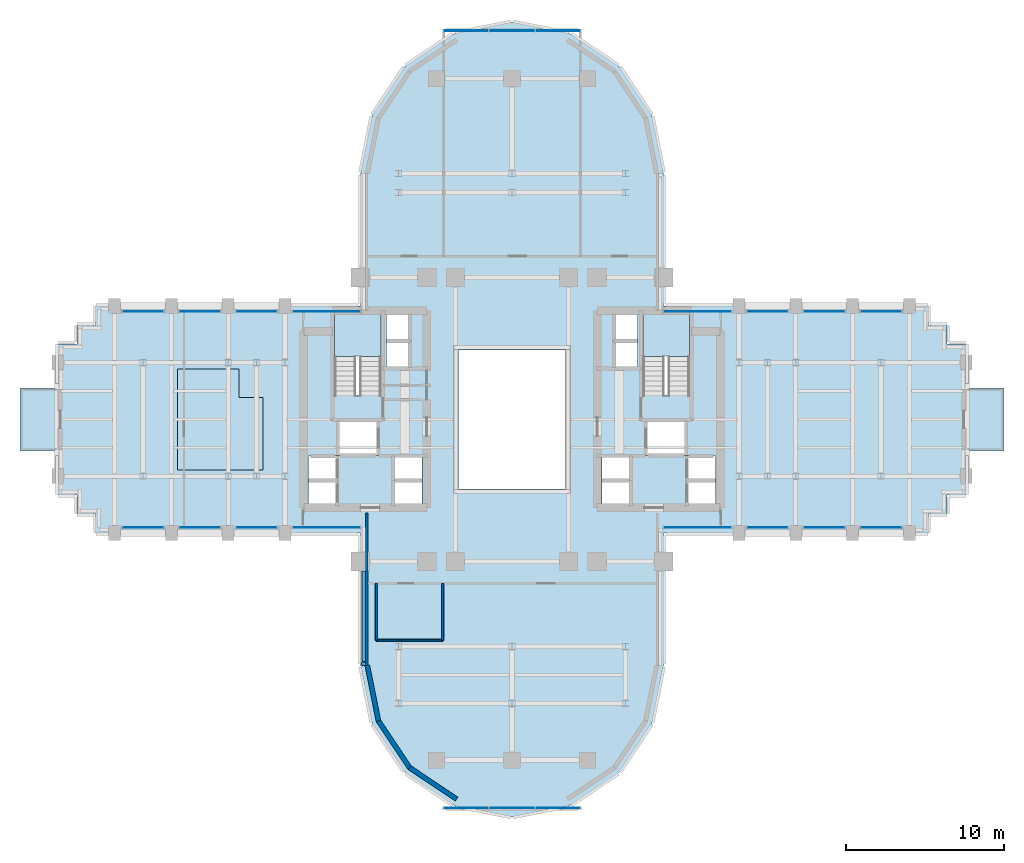
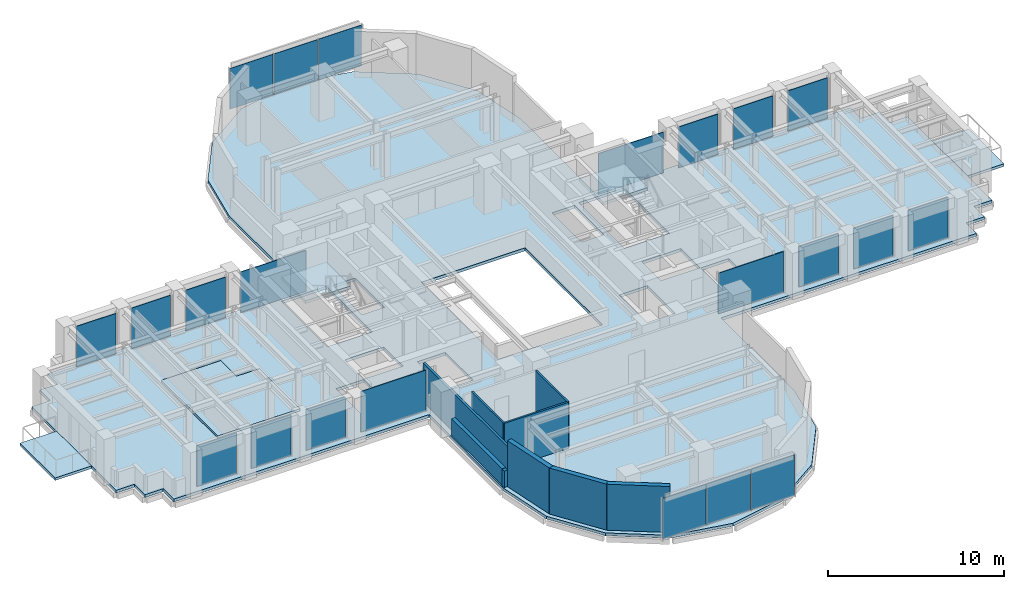
# One storey, part 9 of 15: 22 plates, 9 walls, 6 slabs, 20 elements without a shape of their own.
"""IFC4 building model written with IfcOpenShell, lengths in metres."""

import ifcopenshell
import ifcopenshell.guid

model = None  # the IFC model being written
_history = None  # IfcOwnerHistory: only IFC2X3 demands one
_inside = {}  # id of a spatial element -> (the spatial element, [elements in it])
_under = {}  # id of a project, library or spatial element -> (it, [spatial elements below it])
_declared = {}  # id of a project -> (the project, [libraries it declares])
_typed = {}  # id of a type object -> (the type object, [elements of that type])
_made_of = {}  # id of a material, layer set ... -> (it, [elements and type objects made of it])


def new_model(schema):
    """Start an empty IFC model of exactly this schema.

    Asked for "IFC4X3", IfcOpenShell would pick the latest addendum, in which some entities
    have other attributes; the version numbers below select the first issue.
    IFC2X3 requires an IfcOwnerHistory on every rooted entity: one is made here for all.
    """
    global model, _history
    if schema == "IFC4X3":
        model = ifcopenshell.file(schema_version=(4, 3, 0, 0))
    else:
        model = ifcopenshell.file(schema=schema)
    _inside.clear()
    _under.clear()
    _declared.clear()
    _typed.clear()
    _made_of.clear()
    _history = None
    if model.schema == "IFC2X3":
        org = make("IfcOrganization", Name="unknown")
        user = make(
            "IfcPersonAndOrganization",
            ThePerson=make("IfcPerson", FamilyName="unknown"),
            TheOrganization=org,
        )
        app = make(
            "IfcApplication",
            ApplicationDeveloper=org,
            Version="unknown",
            ApplicationFullName="unknown",
            ApplicationIdentifier="unknown",
        )
        _history = make(
            "IfcOwnerHistory",
            OwningUser=user,
            OwningApplication=app,
            ChangeAction="ADDED",
            CreationDate=0,
        )
    return model


def make(cls, **values):
    """One entity of the class cls with the attributes given. An attribute that is None is left unset."""
    return model.create_entity(
        cls, **{name: value for name, value in values.items() if value is not None}
    )


def rooted(cls, **values):
    """An entity with a GlobalId (a new one), such as an element, a storey or a relation."""
    return make(cls, GlobalId=ifcopenshell.guid.new(), OwnerHistory=_history, **values)


def si_unit(unit_type, name, prefix=None):
    """IfcSIUnit, for example si_unit("LENGTHUNIT", "METRE", prefix="MILLI")."""
    return make("IfcSIUnit", UnitType=unit_type, Prefix=prefix, Name=name)


def assignment(units):
    """IfcUnitAssignment: the units of a project."""
    return None if units is None else make("IfcUnitAssignment", Units=units)


def point(xyz):
    """IfcCartesianPoint."""
    return None if xyz is None else make("IfcCartesianPoint", Coordinates=xyz)


def direction(xyz):
    """IfcDirection."""
    return None if xyz is None else make("IfcDirection", DirectionRatios=xyz)


def frame(location, z_axis=None, x_axis=None):
    """IfcAxis2Placement3D, a coordinate frame: its origin and axes. An axis left out is left unset."""
    return make(
        "IfcAxis2Placement3D",
        Location=point(location),
        Axis=direction(z_axis),
        RefDirection=direction(x_axis),
    )


def frame_2d(location, x_axis=None):
    """IfcAxis2Placement2D, a coordinate frame in the plane: its origin and x axis."""
    return make(
        "IfcAxis2Placement2D", Location=point(location), RefDirection=direction(x_axis)
    )


def origin():
    """The frame at (0, 0, 0) with its axes left unset."""
    return frame((0.0, 0.0, 0.0))


def origin_2d():
    """The frame at (0, 0) in the plane with its x axis left unset."""
    return frame_2d((0.0, 0.0))


def place(relative_to, where):
    """IfcLocalPlacement: puts the frame where relative to a parent placement (None: the world)."""
    return make(
        "IfcLocalPlacement", PlacementRelTo=relative_to, RelativePlacement=where
    )


def context(
    kind, dimensions, precision=None, world=None, true_north=None, identifier=None
):
    """IfcGeometricRepresentationContext, for example the 3D "Model" context."""
    return make(
        "IfcGeometricRepresentationContext",
        ContextIdentifier=identifier,
        ContextType=kind,
        CoordinateSpaceDimension=dimensions,
        Precision=precision,
        WorldCoordinateSystem=world,
        TrueNorth=true_north,
    )


def subcontext(parent, identifier, kind, view, scale=None):
    """IfcGeometricRepresentationSubContext, for example "Body" below "Model"."""
    return make(
        "IfcGeometricRepresentationSubContext",
        ContextIdentifier=identifier,
        ContextType=kind,
        ParentContext=parent,
        TargetScale=scale,
        TargetView=view,
    )


def project(units=None, contexts=None):
    """IfcProject with its units and contexts."""
    return rooted(
        "IfcProject",
        Name="project",
        RepresentationContexts=contexts,
        UnitsInContext=assignment(units),
    )


def spatial(cls, under=None, at=None, **own):
    """A site, building, storey or space (cls), placed at a placement, below another one or the project."""
    s = rooted(cls, ObjectPlacement=at, **own)
    if under is not None:
        _under.setdefault(under.id(), (under, []))[1].append(s)
    return s


def polyline(points):
    """IfcPolyline through the points."""
    return make("IfcPolyline", Points=[point(p) for p in points])


def profile(cls, at=None, kind="AREA", **sizes):
    """A parametric profile (cls). Its sizes go by their IFC names, for example OverallWidth=200.0."""
    return make(cls, ProfileType=kind, Position=at, **sizes)


def rectangle(**sizes):
    """IfcRectangleProfileDef."""
    return profile("IfcRectangleProfileDef", **sizes)


def outline(outer, holes=None, kind="AREA"):
    """IfcArbitraryClosedProfileDef: a profile drawn as a closed curve; with holes, ...WithVoids."""
    if holes is None:
        return make("IfcArbitraryClosedProfileDef", ProfileType=kind, OuterCurve=outer)
    return make(
        "IfcArbitraryProfileDefWithVoids",
        ProfileType=kind,
        OuterCurve=outer,
        InnerCurves=holes,
    )


def extrude(swept, where, along, depth):
    """IfcExtrudedAreaSolid: the profile swept, set in the frame where, extruded along a direction by depth."""
    return make(
        "IfcExtrudedAreaSolid",
        SweptArea=swept,
        Position=where,
        ExtrudedDirection=direction(along),
        Depth=depth,
    )


def shape(context_of_items, identifier, shape_type, items):
    """IfcShapeRepresentation: the items that make up one representation, for example the "Body"."""
    return make(
        "IfcShapeRepresentation",
        ContextOfItems=context_of_items,
        RepresentationIdentifier=identifier,
        RepresentationType=shape_type,
        Items=items,
    )


def source(mapping_origin, context_of_items, identifier, shape_type, items):
    """IfcRepresentationMap: a shape defined once, which mapped items show again and again."""
    return make(
        "IfcRepresentationMap",
        MappingOrigin=mapping_origin,
        MappedRepresentation=shape(context_of_items, identifier, shape_type, items),
    )


def transform(
    local_origin,
    x_axis=None,
    y_axis=None,
    z_axis=None,
    scale=None,
    scale2=None,
    scale3=None,
    uniform=True,
):
    """IfcCartesianTransformationOperator3D, or its non-uniform kind. x_axis, y_axis, z_axis: its Axis1, 2, 3."""
    if uniform:
        return make(
            "IfcCartesianTransformationOperator3D",
            Axis1=direction(x_axis),
            Axis2=direction(y_axis),
            LocalOrigin=point(local_origin),
            Scale=scale,
            Axis3=direction(z_axis),
        )
    return make(
        "IfcCartesianTransformationOperator3DnonUniform",
        Axis1=direction(x_axis),
        Axis2=direction(y_axis),
        LocalOrigin=point(local_origin),
        Scale=scale,
        Axis3=direction(z_axis),
        Scale2=scale2,
        Scale3=scale3,
    )


def mapped(mapping_source, mapping_target):
    """IfcMappedItem: shows the shape of a source again, moved by a transform."""
    return make(
        "IfcMappedItem", MappingSource=mapping_source, MappingTarget=mapping_target
    )


def material(Name=None, Category=None):
    """IfcMaterial."""
    return make("IfcMaterial", Name=Name, Category=Category)


def layer(
    of_material, thickness, ventilated=None, Name=None, Category=None, Priority=None
):
    """IfcMaterialLayer: one layer of a wall or slab, of a material (None: an air gap)."""
    return make(
        "IfcMaterialLayer",
        Material=of_material,
        LayerThickness=thickness,
        IsVentilated=ventilated,
        Name=Name,
        Category=Category,
        Priority=Priority,
    )


def layer_set(layers, Name=None):
    """IfcMaterialLayerSet."""
    return make("IfcMaterialLayerSet", MaterialLayers=layers, LayerSetName=Name)


def made_of(thing, what):
    """Note that an element or type object is made of a material, layer set ...; save() writes the relation."""
    if what is not None:
        _made_of.setdefault(what.id(), (what, []))[1].append(thing)
    return thing


def type_object(cls, material=None, **own):
    """A type object (cls), such as IfcWallType, which elements share."""
    return made_of(rooted(cls, **own), material)


def element(
    cls,
    number,
    at=None,
    inside=None,
    cuts=None,
    type_object=None,
    material=None,
    context=None,
    identifier="Body",
    shape_type=None,
    held_by="IfcProductDefinitionShape",
    body=None,
    shapes=None,
    **own,
):
    """One element of the class cls, such as IfcWall. Its Tag is "e" and its number.

    at: its placement. inside: the storey or other place that contains it. cuts: it is an
    opening in that element (IfcRelVoidsElement). A single representation is given by context,
    identifier, shape_type and body (its items); several are given by shapes. held_by: the class
    of the entity that holds the representations. save() writes the other relations.
    """
    e = rooted(cls, Tag="e%d" % number, ObjectPlacement=at, **own)
    if body is not None:
        shapes = [shape(context, identifier, shape_type, body)]
    if shapes is not None:
        e.Representation = make(held_by, Representations=shapes)
    if inside is not None:
        _inside.setdefault(inside.id(), (inside, []))[1].append(e)
    if cuts is not None:
        rooted(
            "IfcRelVoidsElement", RelatingBuildingElement=cuts, RelatedOpeningElement=e
        )
    if type_object is not None:
        _typed.setdefault(type_object.id(), (type_object, []))[1].append(e)
    return made_of(e, material)


def aggregate(whole, parts):
    """IfcRelAggregates: a whole, such as a stair, and the parts it consists of."""
    return rooted("IfcRelAggregates", RelatingObject=whole, RelatedObjects=parts)


def save(model, path):
    """Write the relations noted so far, then the file.

    IfcRelAggregates (storeys below a building ...), IfcRelContainedInSpatialStructure (elements
    in a storey), IfcRelDefinesByType, IfcRelAssociatesMaterial and IfcRelDeclares: one each for
    every whole, place, type object, material and project.
    """
    for whole, parts in _under.values():
        aggregate(whole, parts)
    for where, things in _inside.values():
        rooted(
            "IfcRelContainedInSpatialStructure",
            RelatedElements=things,
            RelatingStructure=where,
        )
    for kind, things in _typed.values():
        rooted("IfcRelDefinesByType", RelatedObjects=things, RelatingType=kind)
    for what, things in _made_of.values():
        rooted("IfcRelAssociatesMaterial", RelatedObjects=things, RelatingMaterial=what)
    for by, libraries in _declared.values():
        rooted("IfcRelDeclares", RelatingContext=by, RelatedDefinitions=libraries)
    model.write(path)


model = new_model("IFC4")

# Units and contexts
model_context = context("Model", 3, precision=1e-05, world=origin(), true_north=direction((0.0, 1.0)))
body_context = subcontext(model_context, "Body", "Model", "MODEL_VIEW")
ifc_project = project(units=[si_unit("LENGTHUNIT", "METRE"), si_unit("AREAUNIT", "SQUARE_METRE"), si_unit("VOLUMEUNIT", "CUBIC_METRE"), si_unit("PLANEANGLEUNIT", "RADIAN"), si_unit("MASSUNIT", "GRAM", prefix="KILO")], contexts=[model_context])

# Site, building, storey
site_placement = place(None, origin())
site = spatial("IfcSite", under=ifc_project, at=site_placement, CompositionType="ELEMENT")
building_placement = place(site_placement, origin())
building = spatial("IfcBuilding", under=site, at=building_placement, Name="Keilestroom Media Tower", CompositionType="ELEMENT")
storey_placement = place(building_placement, frame((0.0, 0.0, 40.800048828125)))
storey = spatial("IfcBuildingStorey", under=building, at=storey_placement, Name="L09", CompositionType="ELEMENT", Elevation=40.800048828125)

# Slabs
ifc_material_1 = material(Name="Concrete C50/60", Category="concrete")
ifc_layer_1 = layer(ifc_material_1, 0.199951171875)
ifc_layer_set_1 = layer_set([ifc_layer_1], Name="Concrete C50/60")
slab_type_1 = type_object("IfcSlabType", Name="Composite-Floor-Slab-200", PredefinedType="FLOOR", material=ifc_layer_set_1)
slab_1_placement = place(storey_placement, frame((0.0, 0.0, -0.199951171875)))
element("IfcSlab", 1, at=slab_1_placement, inside=storey, type_object=slab_type_1, Name="L09 Structural Composite Floor Slab", PredefinedType="FLOOR", context=body_context, shape_type="SweptSolid", body=[
    extrude(outline(polyline([(28.800048828125, -4.800048828125), (28.800048828125, 4.800048828125), (27.60009765625, 4.800048828125), (27.60009765625, 6.0), (26.39990234375, 6.0), (26.39990234375, 7.199951171875), (9.60009765625, 7.199951171875), (9.60009765625, 9.60009765625), (9.60009765625, 15.60009765625), (8.869140625, 19.273681640625), (6.7880859375, 22.38818359375), (3.673828125, 24.46923828125), (0.0, 25.199951171875), (-3.673828125, 24.46923828125), (-6.7880859375, 22.38818359375), (-8.869140625, 19.273681640625), (-9.60009765625, 15.60009765625), (-9.60009765625, 9.60009765625), (-9.60009765625, 7.199951171875), (-26.39990234375, 7.199951171875), (-26.39990234375, 6.0), (-27.60009765625, 6.0), (-27.60009765625, 4.800048828125), (-28.800048828125, 4.800048828125), (-28.800048828125, -4.800048828125), (-27.60009765625, -4.800048828125), (-27.60009765625, -6.0), (-26.39990234375, -6.0), (-26.39990234375, -7.199951171875), (-9.60009765625, -7.199951171875), (-9.60009765625, -9.60009765625), (-9.60009765625, -15.60009765625), (-8.869140625, -19.273681640625), (-6.7880859375, -22.38818359375), (-3.673828125, -24.46923828125), (0.0, -25.199951171875), (3.673828125, -24.46923828125), (6.7880859375, -22.38818359375), (8.869140625, -19.273681640625), (9.60009765625, -15.60009765625), (9.60009765625, -9.60009765625), (9.60009765625, -7.199951171875), (26.39990234375, -7.199951171875), (26.39990234375, -6.0), (27.60009765625, -6.0), (27.60009765625, -4.800048828125), (28.800048828125, -4.800048828125)]), holes=[polyline([(-12.919921875, -5.47998046875), (-12.919921875, -2.320068359375), (-11.080078125, -2.320068359375), (-11.080078125, -5.47998046875), (-12.919921875, -5.47998046875)]), polyline([(-11.260009765625, 1.544921875), (-11.260009765625, 6.760009765625), (-8.300048828125, 6.760009765625), (-8.300048828125, 1.544921875), (-11.260009765625, 1.544921875)]), polyline([(-11.050048828125, -2.280029296875), (-11.050048828125, -0.10009765625), (-8.47998046875, -0.10009765625), (-8.47998046875, -2.280029296875), (-11.050048828125, -2.280029296875)]), polyline([(-7.949951171875, 3.300048828125), (-7.949951171875, 6.64990234375), (-6.47998046875, 6.64990234375), (-6.47998046875, 3.300048828125), (-7.949951171875, 3.300048828125)]), polyline([(-7.56005859375, -5.47998046875), (-7.56005859375, -2.320068359375), (-5.719970703125, -2.320068359375), (-5.719970703125, -5.47998046875), (-7.56005859375, -5.47998046875)]), polyline([(-3.39990234375, -4.39990234375), (-3.39990234375, 4.39990234375), (3.39990234375, 4.39990234375), (3.39990234375, -4.39990234375), (-3.39990234375, -4.39990234375)]), polyline([(5.719970703125, -5.47998046875), (5.719970703125, -2.320068359375), (7.56005859375, -2.320068359375), (7.56005859375, -5.47998046875), (5.719970703125, -5.47998046875)]), polyline([(7.949951171875, 6.64990234375), (7.949951171875, 3.300048828125), (6.47998046875, 3.300048828125), (6.47998046875, 6.64990234375), (7.949951171875, 6.64990234375)]), polyline([(8.300048828125, 6.760009765625), (11.260009765625, 6.760009765625), (11.260009765625, 1.544921875), (8.300048828125, 1.544921875), (8.300048828125, 6.760009765625)]), polyline([(8.47998046875, -2.280029296875), (8.47998046875, -0.10009765625), (11.050048828125, -0.10009765625), (11.050048828125, -2.280029296875), (8.47998046875, -2.280029296875)]), polyline([(12.919921875, -5.47998046875), (11.080078125, -5.47998046875), (11.080078125, -2.320068359375), (12.919921875, -2.320068359375), (12.919921875, -5.47998046875)])]), origin(), (0.0, 0.0, 1.0), 0.199951171875),
])
ifc_material_2 = material(Name="Concrete C45/55", Category="concrete")
ifc_layer_2 = layer(ifc_material_2, 0.179931640625)
ifc_layer_set_2 = layer_set([ifc_layer_2], Name="Concrete C45/55")
slab_type_2 = type_object("IfcSlabType", Name="Exterior-Terrace-And-Sky-Garden-Slab-180", PredefinedType="FLOOR", material=ifc_layer_set_2)
slab_2_placement = place(storey_placement, frame((0.0, 0.0, -0.179931640625)))
element("IfcSlab", 2, at=slab_2_placement, inside=storey, type_object=slab_type_2, Name="L09 Winter-Garden Balcony Slab L09-BAL-W", PredefinedType="FLOOR", context=body_context, shape_type="SweptSolid", body=[
    extrude(outline(polyline([(-31.199951171875, -2.0), (-28.800048828125, -2.0), (-28.800048828125, 2.0), (-31.199951171875, 2.0), (-31.199951171875, -2.0)])), origin(), (0.0, 0.0, 1.0), 0.179931640625),
])
slab_3_placement = place(storey_placement, frame((0.0, 0.0, -0.179931640625)))
element("IfcSlab", 3, at=slab_3_placement, inside=storey, type_object=slab_type_2, Name="L09 Winter-Garden Balcony Slab L09-BAL-E", PredefinedType="FLOOR", context=body_context, shape_type="SweptSolid", body=[
    extrude(outline(polyline([(28.800048828125, -2.0), (31.199951171875, -2.0), (31.199951171875, 2.0), (28.800048828125, 2.0), (28.800048828125, -2.0)])), origin(), (0.0, 0.0, 1.0), 0.179931640625),
])
ifc_layer_3 = layer(ifc_material_2, 0.14990234375)
ifc_layer_set_3 = layer_set([ifc_layer_3], Name="Concrete C45/55")
slab_type_3 = type_object("IfcSlabType", Name="Floating-Studio-Floor-Slab-150", PredefinedType="FLOOR", material=ifc_layer_set_3)
slab_4_placement = place(storey_placement, origin())
element("IfcSlab", 4, at=slab_4_placement, inside=storey, type_object=slab_type_3, Name="L09 Acoustic Floating Studio Slab ST-POD-Z1", PredefinedType="FLOOR", context=body_context, shape_type="SweptSolid", body=[
    extrude(outline(polyline([(-21.199951171875, -3.199951171875), (-15.800048828125, -3.199951171875), (-15.800048828125, 1.407958984375), (-17.31201171875, 1.407958984375), (-17.31201171875, 3.199951171875), (-21.199951171875, 3.199951171875), (-21.199951171875, -3.199951171875)])), origin(), (0.0, 0.0, 1.0), 0.14990234375),
])

# Stair, slab
stair_type = type_object("IfcStairType", Name="Enclosed-Dog-Leg-Stair-ST-CORE", PredefinedType="HALF_TURN_STAIR", material=ifc_material_2)
stair_1_placement = place(storey_placement, origin())
stair_1 = element("IfcStair", 5, at=stair_1_placement, inside=storey, type_object=stair_type, Name="L09 West Core Escape Stair ST-1", PredefinedType="HALF_TURN_STAIR")
ifc_layer_4 = layer(ifc_material_2, 0.199951171875)
ifc_layer_set_4 = layer_set([ifc_layer_4], Name="Concrete C45/55")
slab_type_4 = type_object("IfcSlabType", Name="Stair-Intermediate-And-Top-Landing-Slab-200", PredefinedType="LANDING", material=ifc_layer_set_4)
slab_5_placement = place(storey_placement, frame((0.0, 0.0, 1.5)))
slab_5 = element("IfcSlab", 6, at=slab_5_placement, type_object=slab_type_4, Name="ST-1 landing 1", PredefinedType="LANDING", context=body_context, shape_type="SweptSolid", body=[
    extrude(outline(polyline([(-8.300048828125, 3.99609375), (-8.300048828125, 6.760009765625), (-11.260009765625, 6.760009765625), (-11.260009765625, 3.99609375), (-8.300048828125, 3.99609375)])), origin(), (0.0, 0.0, 1.0), 0.199951171875),
])
aggregate(stair_1, [slab_5])

stair_2_placement = place(storey_placement, origin())
stair_2 = element("IfcStair", 7, at=stair_2_placement, inside=storey, type_object=stair_type, Name="L09 East Core Escape Stair ST-2", PredefinedType="HALF_TURN_STAIR")
slab_6_placement = place(storey_placement, frame((0.0, 0.0, 1.5)))
slab_6 = element("IfcSlab", 8, at=slab_6_placement, type_object=slab_type_4, Name="ST-2 landing 1", PredefinedType="LANDING", context=body_context, shape_type="SweptSolid", body=[
    extrude(outline(polyline([(11.260009765625, 3.99609375), (11.260009765625, 6.760009765625), (8.300048828125, 6.760009765625), (8.300048828125, 3.99609375), (11.260009765625, 3.99609375)])), origin(), (0.0, 0.0, 1.0), 0.199951171875),
])
aggregate(stair_2, [slab_6])

# Curtain wall, plate
ifc_material_3 = material(Name="Anodised Aluminium Alloy", Category="aluminium")
curtain_wall_type_1 = type_object("IfcCurtainWallType", Name="Unitised-Curtain-Wall-CW-1", PredefinedType="NOTDEFINED", material=ifc_material_3)
curtain_wall_1_placement = place(storey_placement, origin())
curtain_wall_1 = element("IfcCurtainWall", 9, at=curtain_wall_1_placement, inside=storey, type_object=curtain_wall_type_1, Name="L09 Curtain Wall CW-1 CW-L09-NW-1", PredefinedType="NOTDEFINED")
ifc_material_4 = material(Name="Double Glazed Low-E Unit", Category="glass")
ifc_layer_5 = layer(ifc_material_4, 0.0439453125)
ifc_layer_set_5 = layer_set([ifc_layer_5], Name="Double Glazed Low-E Unit")
plate_type_1 = type_object("IfcPlateType", Name="Insulated-Curtain-Wall-Glazing-Panel-CW-1", PredefinedType="CURTAIN_PANEL", material=ifc_layer_set_5)
shared_shape_1 = source(origin(), body_context, "Body", "SweptSolid", [
    extrude(rectangle(XDim=2.597900390625, YDim=0.0439453125, at=origin_2d()), origin(), (0.0, 0.0, 1.0), 2.833984375),
])
plate_1_placement = place(storey_placement, frame((-23.39990234375, 6.85009765625, 0.072998046875), z_axis=(0.0, 0.0, 1.0), x_axis=(1.0, 0.0, 0.0)))
plate_1 = element("IfcPlate", 10, at=plate_1_placement, type_object=plate_type_1, Name="CW-1 Unitised Glazing 00", PredefinedType="CURTAIN_PANEL", context=body_context, shape_type="MappedRepresentation", body=[
    mapped(shared_shape_1, transform((0.0, 0.0, 0.0), x_axis=(1.0, 0.0, 0.0), y_axis=(0.0, 1.0, 0.0), z_axis=(0.0, 0.0, 1.0), scale=1.0)),
])
aggregate(curtain_wall_1, [plate_1])

curtain_wall_2_placement = place(storey_placement, origin())
curtain_wall_2 = element("IfcCurtainWall", 11, at=curtain_wall_2_placement, inside=storey, type_object=curtain_wall_type_1, Name="L09 Curtain Wall CW-1 CW-L09-NW-2", PredefinedType="NOTDEFINED")
plate_2_placement = place(storey_placement, frame((-19.800048828125, 6.85009765625, 0.072998046875), z_axis=(0.0, 0.0, 1.0), x_axis=(1.0, 0.0, 0.0)))
plate_2 = element("IfcPlate", 12, at=plate_2_placement, type_object=plate_type_1, Name="CW-1 Unitised Glazing 00", PredefinedType="CURTAIN_PANEL", context=body_context, shape_type="MappedRepresentation", body=[
    mapped(shared_shape_1, transform((0.0, 0.0, 0.0), x_axis=(1.0, 0.0, 0.0), y_axis=(0.0, 1.0, 0.0), z_axis=(0.0, 0.0, 1.0), scale=1.0)),
])
aggregate(curtain_wall_2, [plate_2])

curtain_wall_3_placement = place(storey_placement, origin())
curtain_wall_3 = element("IfcCurtainWall", 13, at=curtain_wall_3_placement, inside=storey, type_object=curtain_wall_type_1, Name="L09 Curtain Wall CW-1 CW-L09-NW-3", PredefinedType="NOTDEFINED")
plate_3_placement = place(storey_placement, frame((-16.199951171875, 6.85009765625, 0.072998046875), z_axis=(0.0, 0.0, 1.0), x_axis=(1.0, 0.0, 0.0)))
plate_3 = element("IfcPlate", 14, at=plate_3_placement, type_object=plate_type_1, Name="CW-1 Unitised Glazing 00", PredefinedType="CURTAIN_PANEL", context=body_context, shape_type="MappedRepresentation", body=[
    mapped(shared_shape_1, transform((0.0, 0.0, 0.0), x_axis=(1.0, 0.0, 0.0), y_axis=(0.0, 1.0, 0.0), z_axis=(0.0, 0.0, 1.0), scale=1.0)),
])
aggregate(curtain_wall_3, [plate_3])

curtain_wall_4_placement = place(storey_placement, origin())
curtain_wall_4 = element("IfcCurtainWall", 15, at=curtain_wall_4_placement, inside=storey, type_object=curtain_wall_type_1, Name="L09 Curtain Wall CW-1 CW-L09-NE-2", PredefinedType="NOTDEFINED")
plate_4_placement = place(storey_placement, frame((16.199951171875, 6.85009765625, 0.072998046875), z_axis=(0.0, 0.0, 1.0), x_axis=(1.0, 0.0, 0.0)))
plate_4 = element("IfcPlate", 16, at=plate_4_placement, type_object=plate_type_1, Name="CW-1 Unitised Glazing 00", PredefinedType="CURTAIN_PANEL", context=body_context, shape_type="MappedRepresentation", body=[
    mapped(shared_shape_1, transform((0.0, 0.0, 0.0), x_axis=(1.0, 0.0, 0.0), y_axis=(0.0, 1.0, 0.0), z_axis=(0.0, 0.0, 1.0), scale=1.0)),
])
aggregate(curtain_wall_4, [plate_4])

curtain_wall_5_placement = place(storey_placement, origin())
curtain_wall_5 = element("IfcCurtainWall", 17, at=curtain_wall_5_placement, inside=storey, type_object=curtain_wall_type_1, Name="L09 Curtain Wall CW-1 CW-L09-NE-3", PredefinedType="NOTDEFINED")
plate_5_placement = place(storey_placement, frame((19.800048828125, 6.85009765625, 0.072998046875), z_axis=(0.0, 0.0, 1.0), x_axis=(1.0, 0.0, 0.0)))
plate_5 = element("IfcPlate", 18, at=plate_5_placement, type_object=plate_type_1, Name="CW-1 Unitised Glazing 00", PredefinedType="CURTAIN_PANEL", context=body_context, shape_type="MappedRepresentation", body=[
    mapped(shared_shape_1, transform((0.0, 0.0, 0.0), x_axis=(1.0, 0.0, 0.0), y_axis=(0.0, 1.0, 0.0), z_axis=(0.0, 0.0, 1.0), scale=1.0)),
])
aggregate(curtain_wall_5, [plate_5])

curtain_wall_6_placement = place(storey_placement, origin())
curtain_wall_6 = element("IfcCurtainWall", 19, at=curtain_wall_6_placement, inside=storey, type_object=curtain_wall_type_1, Name="L09 Curtain Wall CW-1 CW-L09-NE-4", PredefinedType="NOTDEFINED")
plate_6_placement = place(storey_placement, frame((23.39990234375, 6.85009765625, 0.072998046875), z_axis=(0.0, 0.0, 1.0), x_axis=(1.0, 0.0, 0.0)))
plate_6 = element("IfcPlate", 20, at=plate_6_placement, type_object=plate_type_1, Name="CW-1 Unitised Glazing 00", PredefinedType="CURTAIN_PANEL", context=body_context, shape_type="MappedRepresentation", body=[
    mapped(shared_shape_1, transform((0.0, 0.0, 0.0), x_axis=(1.0, 0.0, 0.0), y_axis=(0.0, 1.0, 0.0), z_axis=(0.0, 0.0, 1.0), scale=1.0)),
])
aggregate(curtain_wall_6, [plate_6])

curtain_wall_7_placement = place(storey_placement, origin())
curtain_wall_7 = element("IfcCurtainWall", 21, at=curtain_wall_7_placement, inside=storey, type_object=curtain_wall_type_1, Name="L09 Curtain Wall CW-1 CW-L09-SW-1", PredefinedType="NOTDEFINED")
plate_7_placement = place(storey_placement, frame((-23.39990234375, -6.85009765625, 0.072998046875), z_axis=(0.0, 0.0, 1.0), x_axis=(1.0, 0.0, 0.0)))
plate_7 = element("IfcPlate", 22, at=plate_7_placement, type_object=plate_type_1, Name="CW-1 Unitised Glazing 00", PredefinedType="CURTAIN_PANEL", context=body_context, shape_type="MappedRepresentation", body=[
    mapped(shared_shape_1, transform((0.0, 0.0, 0.0), x_axis=(1.0, 0.0, 0.0), y_axis=(0.0, 1.0, 0.0), z_axis=(0.0, 0.0, 1.0), scale=1.0)),
])
aggregate(curtain_wall_7, [plate_7])

curtain_wall_8_placement = place(storey_placement, origin())
curtain_wall_8 = element("IfcCurtainWall", 23, at=curtain_wall_8_placement, inside=storey, type_object=curtain_wall_type_1, Name="L09 Curtain Wall CW-1 CW-L09-SW-2", PredefinedType="NOTDEFINED")
plate_8_placement = place(storey_placement, frame((-19.800048828125, -6.85009765625, 0.072998046875), z_axis=(0.0, 0.0, 1.0), x_axis=(1.0, 0.0, 0.0)))
plate_8 = element("IfcPlate", 24, at=plate_8_placement, type_object=plate_type_1, Name="CW-1 Unitised Glazing 00", PredefinedType="CURTAIN_PANEL", context=body_context, shape_type="MappedRepresentation", body=[
    mapped(shared_shape_1, transform((0.0, 0.0, 0.0), x_axis=(1.0, 0.0, 0.0), y_axis=(0.0, 1.0, 0.0), z_axis=(0.0, 0.0, 1.0), scale=1.0)),
])
aggregate(curtain_wall_8, [plate_8])

curtain_wall_9_placement = place(storey_placement, origin())
curtain_wall_9 = element("IfcCurtainWall", 25, at=curtain_wall_9_placement, inside=storey, type_object=curtain_wall_type_1, Name="L09 Curtain Wall CW-1 CW-L09-SW-3", PredefinedType="NOTDEFINED")
plate_9_placement = place(storey_placement, frame((-16.199951171875, -6.85009765625, 0.072998046875), z_axis=(0.0, 0.0, 1.0), x_axis=(1.0, 0.0, 0.0)))
plate_9 = element("IfcPlate", 26, at=plate_9_placement, type_object=plate_type_1, Name="CW-1 Unitised Glazing 00", PredefinedType="CURTAIN_PANEL", context=body_context, shape_type="MappedRepresentation", body=[
    mapped(shared_shape_1, transform((0.0, 0.0, 0.0), x_axis=(1.0, 0.0, 0.0), y_axis=(0.0, 1.0, 0.0), z_axis=(0.0, 0.0, 1.0), scale=1.0)),
])
aggregate(curtain_wall_9, [plate_9])

curtain_wall_10_placement = place(storey_placement, origin())
curtain_wall_10 = element("IfcCurtainWall", 27, at=curtain_wall_10_placement, inside=storey, type_object=curtain_wall_type_1, Name="L09 Curtain Wall CW-1 CW-L09-SE-2", PredefinedType="NOTDEFINED")
plate_10_placement = place(storey_placement, frame((16.199951171875, -6.85009765625, 0.072998046875), z_axis=(0.0, 0.0, 1.0), x_axis=(1.0, 0.0, 0.0)))
plate_10 = element("IfcPlate", 28, at=plate_10_placement, type_object=plate_type_1, Name="CW-1 Unitised Glazing 00", PredefinedType="CURTAIN_PANEL", context=body_context, shape_type="MappedRepresentation", body=[
    mapped(shared_shape_1, transform((0.0, 0.0, 0.0), x_axis=(1.0, 0.0, 0.0), y_axis=(0.0, 1.0, 0.0), z_axis=(0.0, 0.0, 1.0), scale=1.0)),
])
aggregate(curtain_wall_10, [plate_10])

curtain_wall_11_placement = place(storey_placement, origin())
curtain_wall_11 = element("IfcCurtainWall", 29, at=curtain_wall_11_placement, inside=storey, type_object=curtain_wall_type_1, Name="L09 Curtain Wall CW-1 CW-L09-SE-3", PredefinedType="NOTDEFINED")
plate_11_placement = place(storey_placement, frame((19.800048828125, -6.85009765625, 0.072998046875), z_axis=(0.0, 0.0, 1.0), x_axis=(1.0, 0.0, 0.0)))
plate_11 = element("IfcPlate", 30, at=plate_11_placement, type_object=plate_type_1, Name="CW-1 Unitised Glazing 00", PredefinedType="CURTAIN_PANEL", context=body_context, shape_type="MappedRepresentation", body=[
    mapped(shared_shape_1, transform((0.0, 0.0, 0.0), x_axis=(1.0, 0.0, 0.0), y_axis=(0.0, 1.0, 0.0), z_axis=(0.0, 0.0, 1.0), scale=1.0)),
])
aggregate(curtain_wall_11, [plate_11])

curtain_wall_12_placement = place(storey_placement, origin())
curtain_wall_12 = element("IfcCurtainWall", 31, at=curtain_wall_12_placement, inside=storey, type_object=curtain_wall_type_1, Name="L09 Curtain Wall CW-1 CW-L09-SE-4", PredefinedType="NOTDEFINED")
plate_12_placement = place(storey_placement, frame((23.39990234375, -6.85009765625, 0.072998046875), z_axis=(0.0, 0.0, 1.0), x_axis=(1.0, 0.0, 0.0)))
plate_12 = element("IfcPlate", 32, at=plate_12_placement, type_object=plate_type_1, Name="CW-1 Unitised Glazing 00", PredefinedType="CURTAIN_PANEL", context=body_context, shape_type="MappedRepresentation", body=[
    mapped(shared_shape_1, transform((0.0, 0.0, 0.0), x_axis=(1.0, 0.0, 0.0), y_axis=(0.0, 1.0, 0.0), z_axis=(0.0, 0.0, 1.0), scale=1.0)),
])
aggregate(curtain_wall_12, [plate_12])

curtain_wall_13_placement = place(storey_placement, origin())
curtain_wall_13 = element("IfcCurtainWall", 33, at=curtain_wall_13_placement, inside=storey, type_object=curtain_wall_type_1, Name="L09 Curtain Wall CW-1 CW-L09-NW-4", PredefinedType="NOTDEFINED")
shared_shape_2 = source(origin(), body_context, "Body", "SweptSolid", [
    extrude(rectangle(XDim=4.282958984375, YDim=0.0439453125, at=origin_2d()), origin(), (0.0, 0.0, 1.0), 2.833984375),
])
plate_13_placement = place(storey_placement, frame((-11.757568359375, 6.85009765625, 0.072998046875), z_axis=(0.0, 0.0, 1.0), x_axis=(1.0, 0.0, 0.0)))
plate_13 = element("IfcPlate", 34, at=plate_13_placement, type_object=plate_type_1, Name="CW-1 Unitised Glazing 00", PredefinedType="CURTAIN_PANEL", context=body_context, shape_type="MappedRepresentation", body=[
    mapped(shared_shape_2, transform((0.0, 0.0, 0.0), x_axis=(1.0, 0.0, 0.0), y_axis=(0.0, 1.0, 0.0), z_axis=(0.0, 0.0, 1.0), scale=1.0)),
])
aggregate(curtain_wall_13, [plate_13])

curtain_wall_14_placement = place(storey_placement, origin())
curtain_wall_14 = element("IfcCurtainWall", 35, at=curtain_wall_14_placement, inside=storey, type_object=curtain_wall_type_1, Name="L09 Curtain Wall CW-1 CW-L09-NE-1", PredefinedType="NOTDEFINED")
plate_14_placement = place(storey_placement, frame((11.757568359375, 6.85009765625, 0.072998046875), z_axis=(0.0, 0.0, 1.0), x_axis=(1.0, 0.0, 0.0)))
plate_14 = element("IfcPlate", 36, at=plate_14_placement, type_object=plate_type_1, Name="CW-1 Unitised Glazing 00", PredefinedType="CURTAIN_PANEL", context=body_context, shape_type="MappedRepresentation", body=[
    mapped(shared_shape_2, transform((0.0, 0.0, 0.0), x_axis=(1.0, 0.0, 0.0), y_axis=(0.0, 1.0, 0.0), z_axis=(0.0, 0.0, 1.0), scale=1.0)),
])
aggregate(curtain_wall_14, [plate_14])

curtain_wall_15_placement = place(storey_placement, origin())
curtain_wall_15 = element("IfcCurtainWall", 37, at=curtain_wall_15_placement, inside=storey, type_object=curtain_wall_type_1, Name="L09 Curtain Wall CW-1 CW-L09-SW-4", PredefinedType="NOTDEFINED")
plate_15_placement = place(storey_placement, frame((-11.757568359375, -6.85009765625, 0.072998046875), z_axis=(0.0, 0.0, 1.0), x_axis=(1.0, 0.0, 0.0)))
plate_15 = element("IfcPlate", 38, at=plate_15_placement, type_object=plate_type_1, Name="CW-1 Unitised Glazing 00", PredefinedType="CURTAIN_PANEL", context=body_context, shape_type="MappedRepresentation", body=[
    mapped(shared_shape_2, transform((0.0, 0.0, 0.0), x_axis=(1.0, 0.0, 0.0), y_axis=(0.0, 1.0, 0.0), z_axis=(0.0, 0.0, 1.0), scale=1.0)),
])
aggregate(curtain_wall_15, [plate_15])

curtain_wall_16_placement = place(storey_placement, origin())
curtain_wall_16 = element("IfcCurtainWall", 39, at=curtain_wall_16_placement, inside=storey, type_object=curtain_wall_type_1, Name="L09 Curtain Wall CW-1 CW-L09-SE-1", PredefinedType="NOTDEFINED")
plate_16_placement = place(storey_placement, frame((11.757568359375, -6.85009765625, 0.072998046875), z_axis=(0.0, 0.0, 1.0), x_axis=(1.0, 0.0, 0.0)))
plate_16 = element("IfcPlate", 40, at=plate_16_placement, type_object=plate_type_1, Name="CW-1 Unitised Glazing 00", PredefinedType="CURTAIN_PANEL", context=body_context, shape_type="MappedRepresentation", body=[
    mapped(shared_shape_2, transform((0.0, 0.0, 0.0), x_axis=(1.0, 0.0, 0.0), y_axis=(0.0, 1.0, 0.0), z_axis=(0.0, 0.0, 1.0), scale=1.0)),
])
aggregate(curtain_wall_16, [plate_16])

# Curtain wall, plates
curtain_wall_type_2 = type_object("IfcCurtainWallType", Name="Unitised-Curtain-Wall-CW-6", PredefinedType="NOTDEFINED", material=ifc_material_3)
curtain_wall_17_placement = place(storey_placement, origin())
curtain_wall_17 = element("IfcCurtainWall", 41, at=curtain_wall_17_placement, inside=storey, type_object=curtain_wall_type_2, Name="L09 Curtain Wall CW-6 CW-L09-LN-1", PredefinedType="NOTDEFINED")
ifc_material_5 = material(Name="Curved-Facet Triple Glazed Unit", Category="glass")
ifc_layer_6 = layer(ifc_material_5, 0.033935546875)
ifc_layer_set_6 = layer_set([ifc_layer_6], Name="Curved-Facet Triple Glazed Unit")
plate_type_2 = type_object("IfcPlateType", Name="Insulated-Curtain-Wall-Glazing-Panel-CW-6", PredefinedType="CURTAIN_PANEL", material=ifc_layer_set_6)
shared_shape_3 = source(origin(), body_context, "Body", "SweptSolid", [
    extrude(rectangle(XDim=2.84375, YDim=0.033935546875, at=origin_2d()), origin(), (0.0, 0.0, 1.0), 2.833984375),
])
plate_17_placement = place(storey_placement, frame((-2.9169921875, 24.64990234375, 0.072998046875), z_axis=(0.0, 0.0, 1.0), x_axis=(1.0, 0.0, 0.0)))
plate_17 = element("IfcPlate", 42, at=plate_17_placement, type_object=plate_type_2, Name="CW-6 Unitised Glazing 00", PredefinedType="CURTAIN_PANEL", context=body_context, shape_type="MappedRepresentation", body=[
    mapped(shared_shape_3, transform((0.0, 0.0, 0.0), x_axis=(1.0, 0.0, 0.0), y_axis=(0.0, 1.0, 0.0), z_axis=(0.0, 0.0, 1.0), scale=1.0)),
])
plate_18_placement = place(storey_placement, frame((2.9169921875, 24.64990234375, 0.072998046875), z_axis=(0.0, 0.0, 1.0), x_axis=(1.0, 0.0, 0.0)))
plate_18 = element("IfcPlate", 43, at=plate_18_placement, type_object=plate_type_2, Name="CW-6 Unitised Glazing 02", PredefinedType="CURTAIN_PANEL", context=body_context, shape_type="MappedRepresentation", body=[
    mapped(shared_shape_3, transform((0.0, 0.0, 0.0), x_axis=(1.0, 0.0, 0.0), y_axis=(0.0, 1.0, 0.0), z_axis=(0.0, 0.0, 1.0), scale=1.0)),
])

curtain_wall_18_placement = place(storey_placement, origin())
curtain_wall_18 = element("IfcCurtainWall", 44, at=curtain_wall_18_placement, inside=storey, type_object=curtain_wall_type_2, Name="L09 Curtain Wall CW-6 CW-L09-LS-1", PredefinedType="NOTDEFINED")
plate_19_placement = place(storey_placement, frame((-2.9169921875, -24.64990234375, 0.072998046875), z_axis=(0.0, 0.0, 1.0), x_axis=(1.0, 0.0, 0.0)))
plate_19 = element("IfcPlate", 45, at=plate_19_placement, type_object=plate_type_2, Name="CW-6 Unitised Glazing 00", PredefinedType="CURTAIN_PANEL", context=body_context, shape_type="MappedRepresentation", body=[
    mapped(shared_shape_3, transform((0.0, 0.0, 0.0), x_axis=(1.0, 0.0, 0.0), y_axis=(0.0, 1.0, 0.0), z_axis=(0.0, 0.0, 1.0), scale=1.0)),
])
plate_20_placement = place(storey_placement, frame((2.9169921875, -24.64990234375, 0.072998046875), z_axis=(0.0, 0.0, 1.0), x_axis=(1.0, 0.0, 0.0)))
plate_20 = element("IfcPlate", 46, at=plate_20_placement, type_object=plate_type_2, Name="CW-6 Unitised Glazing 02", PredefinedType="CURTAIN_PANEL", context=body_context, shape_type="MappedRepresentation", body=[
    mapped(shared_shape_3, transform((0.0, 0.0, 0.0), x_axis=(1.0, 0.0, 0.0), y_axis=(0.0, 1.0, 0.0), z_axis=(0.0, 0.0, 1.0), scale=1.0)),
])

# Plate
shared_shape_4 = source(origin(), body_context, "Body", "SweptSolid", [
    extrude(rectangle(XDim=2.876220703125, YDim=0.033935546875, at=origin_2d()), origin(), (0.0, 0.0, 1.0), 2.833984375),
])
plate_21_placement = place(storey_placement, frame((0.0, 24.64990234375, 0.072998046875), z_axis=(0.0, 0.0, 1.0), x_axis=(1.0, 0.0, 0.0)))
plate_21 = element("IfcPlate", 47, at=plate_21_placement, type_object=plate_type_2, Name="CW-6 Unitised Glazing 01", PredefinedType="CURTAIN_PANEL", context=body_context, shape_type="MappedRepresentation", body=[
    mapped(shared_shape_4, transform((0.0, 0.0, 0.0), x_axis=(1.0, 0.0, 0.0), y_axis=(0.0, 1.0, 0.0), z_axis=(0.0, 0.0, 1.0), scale=1.0)),
])

aggregate(curtain_wall_17, [plate_17, plate_21, plate_18])

plate_22_placement = place(storey_placement, frame((0.0, -24.64990234375, 0.072998046875), z_axis=(0.0, 0.0, 1.0), x_axis=(1.0, 0.0, 0.0)))
plate_22 = element("IfcPlate", 48, at=plate_22_placement, type_object=plate_type_2, Name="CW-6 Unitised Glazing 01", PredefinedType="CURTAIN_PANEL", context=body_context, shape_type="MappedRepresentation", body=[
    mapped(shared_shape_4, transform((0.0, 0.0, 0.0), x_axis=(1.0, 0.0, 0.0), y_axis=(0.0, 1.0, 0.0), z_axis=(0.0, 0.0, 1.0), scale=1.0)),
])

aggregate(curtain_wall_18, [plate_19, plate_22, plate_20])

# Walls
ifc_material_6 = material(Name="Precast concrete C40/50", Category="concrete")
ifc_layer_7 = layer(ifc_material_6, 0.300048828125)
ifc_layer_set_7 = layer_set([ifc_layer_7], Name="Precast concrete C40/50")
wall_type_1 = type_object("IfcWallType", Name="Exterior-Masonry-Spandrel-Wall-300", PredefinedType="SOLIDWALL", material=ifc_layer_set_7)
for number, where, z_axis, x_axis, name in (
    (49, (-9.1748046875, -15.585205078125, 0.0), (0.0, 0.0, 1.0), (0.195114232679, -0.980780523974, 0.0), "L09 Lobe Facet Precast Frame Wall 07"),
    (50, (-8.48193359375, -19.097412109375, 0.0), (0.0, 0.0, 1.0), (0.555574187116, -0.831466970246, 0.0), "L09 Lobe Facet Precast Frame Wall 08"),
):
    element("IfcWall", number, at=place(storey_placement, frame(where, z_axis=z_axis, x_axis=x_axis)), inside=storey, type_object=wall_type_1, Name=name, PredefinedType="SOLIDWALL", context=body_context, shape_type="SweptSolid", body=[
        extrude(rectangle(XDim=3.608642578125, YDim=0.300048828125, at=frame_2d((1.80419921875, 0.0))), origin(), (0.0, 0.0, 1.0), 3.199951171875),
    ])
wall_1_placement = place(storey_placement, frame((-6.497802734375, -22.0771484375, 0.0), z_axis=(0.0, 0.0, 1.0), x_axis=(0.8314749531, -0.555562239868, 0.0)))
element("IfcWall", 51, at=wall_1_placement, inside=storey, type_object=wall_type_1, Name="L09 Lobe Facet Precast Frame Wall 09", PredefinedType="SOLIDWALL", context=body_context, shape_type="SweptSolid", body=[
    extrude(rectangle(XDim=3.59326171875, YDim=0.300048828125, at=frame_2d((1.796630859375, 0.0))), origin(), (0.0, 0.0, 1.0), 3.199951171875),
])
ifc_material_7 = material(Name="Gypsum Plasterboard & Steel Stud", Category="steel")
ifc_layer_8 = layer(ifc_material_7, 0.1201171875)
ifc_layer_set_8 = layer_set([ifc_layer_8], Name="Gypsum Plasterboard & Steel Stud")
wall_type_2 = type_object("IfcWallType", Name="Interior-Partition-Wall-120", PredefinedType="PARTITIONING", material=ifc_layer_set_8)
wall_2_placement = place(storey_placement, frame((-8.60009765625, -14.0, 0.0), z_axis=(0.0, 0.0, 1.0), x_axis=(1.0, 0.0, 0.0)))
element("IfcWall", 52, at=wall_2_placement, inside=storey, type_object=wall_type_2, Name="L09 Interior Wall WP-L09-SL-WC4-S", PredefinedType="PARTITIONING", context=body_context, shape_type="SweptSolid", body=[
    extrude(rectangle(XDim=4.2001953125, YDim=0.1201171875, at=frame_2d((2.10009765625, 0.0))), origin(), (0.0, 0.0, 1.0), 3.199951171875),
])
for number, where, z_axis, x_axis, name in (
    (53, (-8.60009765625, -14.0, 0.0), (0.0, 0.0, 1.0), (0.0, 1.0, 0.0), "L09 Interior Wall WP-L09-SL-WC4-W"),
    (54, (-4.39990234375, -14.0, 0.0), (0.0, 0.0, 1.0), (0.0, 1.0, 0.0), "L09 Interior Wall WP-L09-SL-WC4-E"),
):
    element("IfcWall", number, at=place(storey_placement, frame(where, z_axis=z_axis, x_axis=x_axis)), inside=storey, type_object=wall_type_2, Name=name, PredefinedType="PARTITIONING", context=body_context, shape_type="SweptSolid", body=[
        extrude(rectangle(XDim=3.60009765625, YDim=0.1201171875, at=frame_2d((1.800048828125, 0.0))), origin(), (0.0, 0.0, 1.0), 3.199951171875),
    ])
ifc_layer_9 = layer(ifc_material_7, 0.14990234375)
ifc_layer_set_9 = layer_set([ifc_layer_9], Name="Gypsum Plasterboard & Steel Stud")
wall_type_3 = type_object("IfcWallType", Name="Interior-Partition-Wall-150", PredefinedType="PARTITIONING", material=ifc_layer_set_9)
wall_3_placement = place(storey_placement, frame((-9.199951171875, -15.679931640625, 0.0), z_axis=(0.0, 0.0, 1.0), x_axis=(0.0, 1.0, 0.0)))
element("IfcWall", 55, at=wall_3_placement, inside=storey, type_object=wall_type_3, Name="L09 Interior Wall WP-L09-SL-CHKW", PredefinedType="PARTITIONING", context=body_context, shape_type="SweptSolid", body=[
    extrude(rectangle(XDim=9.739990234375, YDim=0.14990234375, at=frame_2d((4.8701171875, 0.0))), origin(), (0.0, 0.0, 1.0), 2.7099609375),
])
ifc_layer_10 = layer(ifc_material_6, 0.239990234375)
ifc_layer_set_10 = layer_set([ifc_layer_10], Name="Precast concrete C40/50")
wall_type_4 = type_object("IfcWallType", Name="Roof-And-Terrace-Parapet-Wall-240", PredefinedType="PARAPET", material=ifc_layer_set_10)
wall_4_placement = place(storey_placement, frame((-9.395263671875, -15.604248046875, 0.0), z_axis=(0.0, 0.0, 1.0), x_axis=(-0.194652052864, 0.980872355771, 0.0)))
element("IfcWall", 56, at=wall_4_placement, inside=storey, type_object=wall_type_4, Name="L09 Perimeter Edge Parapet Wall 09", PredefinedType="PARAPET", context=body_context, shape_type="SweptSolid", body=[
    extrude(rectangle(XDim=0.224609375, YDim=0.239990234375, at=frame_2d((0.1123046875, 0.0))), origin(), (0.0, 0.0, 1.0), 1.14990234375),
])
wall_5_placement = place(storey_placement, frame((-9.39990234375, -15.357666015625, 0.0), z_axis=(0.0, 0.0, 1.0), x_axis=(0.0, 1.0, 0.0)))
element("IfcWall", 57, at=wall_5_placement, inside=storey, type_object=wall_type_4, Name="L09 Perimeter Edge Parapet Wall 10", PredefinedType="PARAPET", context=body_context, shape_type="SweptSolid", body=[
    extrude(rectangle(XDim=5.754638671875, YDim=0.239990234375, at=frame_2d((2.87744140625, 0.0))), origin(), (0.0, 0.0, 1.0), 1.14990234375),
])

save(model, "model.ifc")
